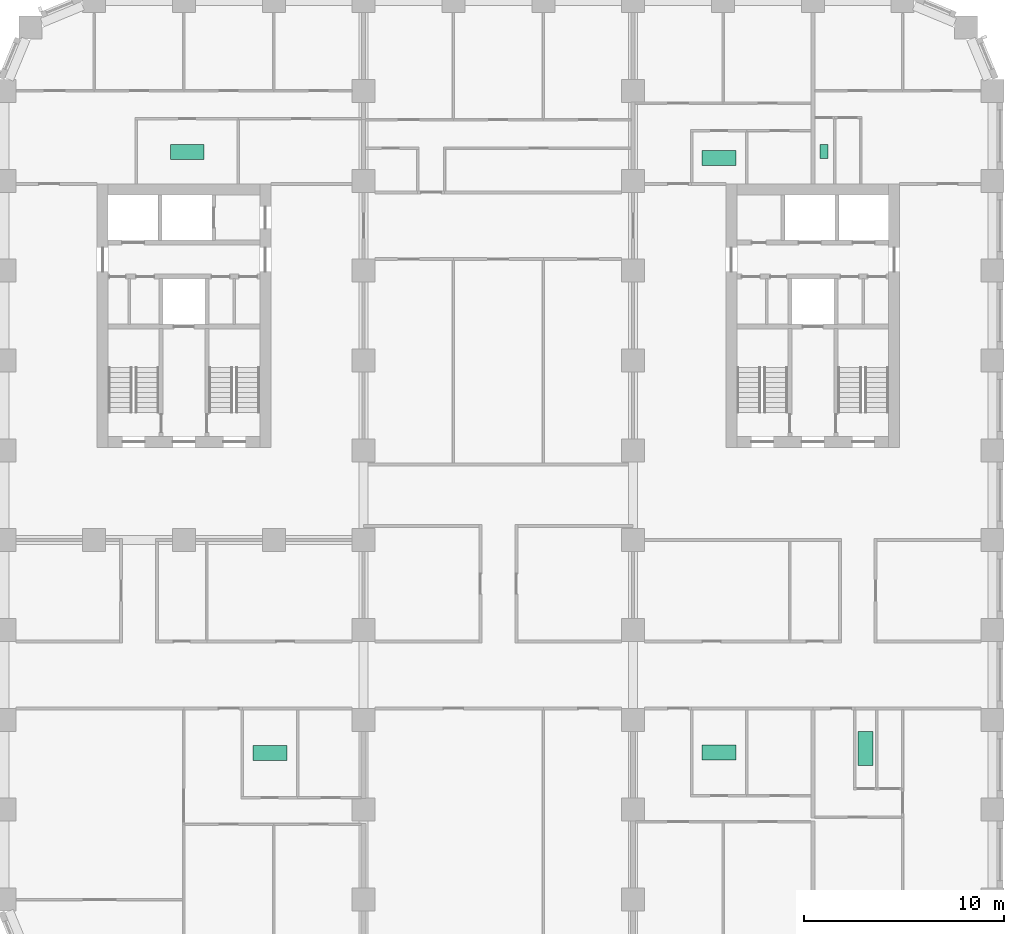
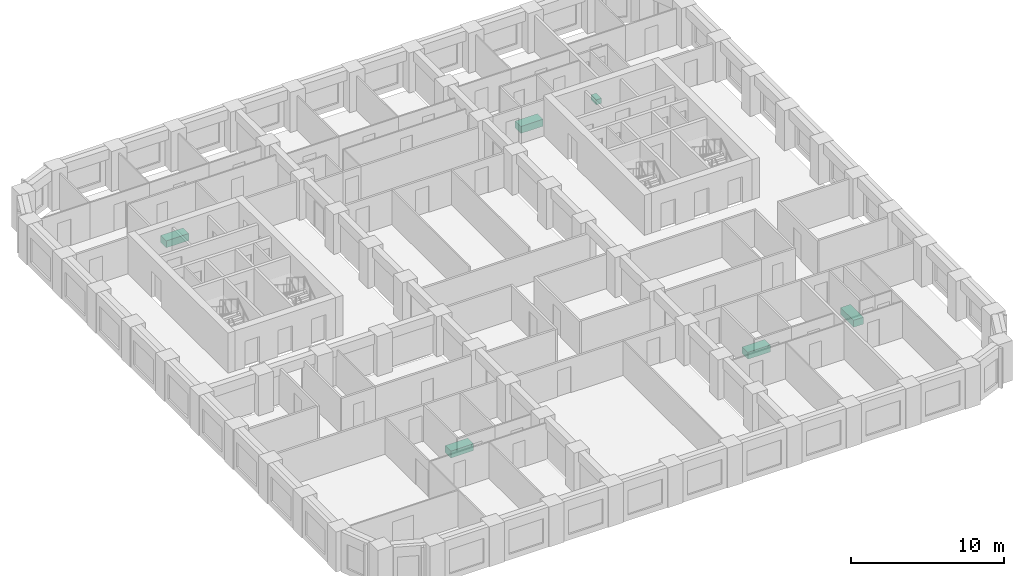
# One storey, part 13 of 13: 6 sanitary terminals.
"""IFC4 building model written with IfcOpenShell, lengths in metres."""

from ifc_helpers import new_model, si_unit, direction, frame, origin, origin_2d, place, context, subcontext, project, spatial, rectangle, extrude, material, type_object, element, save


model = new_model("IFC4")

# Units and contexts
model_context = context("Model", 3, precision=1e-05, world=origin(), true_north=direction((0.0, 1.0)))
body_context = subcontext(model_context, "Body", "Model", "MODEL_VIEW")
ifc_project = project(units=[si_unit("LENGTHUNIT", "METRE"), si_unit("AREAUNIT", "SQUARE_METRE"), si_unit("VOLUMEUNIT", "CUBIC_METRE"), si_unit("PLANEANGLEUNIT", "RADIAN"), si_unit("MASSUNIT", "GRAM", prefix="KILO")], contexts=[model_context])

# Site, building, storey
site_placement = place(None, origin())
site = spatial("IfcSite", under=ifc_project, at=site_placement, CompositionType="ELEMENT")
building_placement = place(site_placement, origin())
building = spatial("IfcBuilding", under=site, at=building_placement, Name="Girih Gate Residences", CompositionType="ELEMENT")
storey_placement = place(building_placement, frame((0.0, 0.0, 92.800048828125)))
storey = spatial("IfcBuildingStorey", under=building, at=storey_placement, Name="L25", CompositionType="ELEMENT", Elevation=92.800048828125)

# Sanitary terminals
ifc_material_1 = material(Name="Acrylic")
sanitary_terminal_type_1 = type_object("IfcSanitaryTerminalType", Name="Bath 1700", PredefinedType="BATH", material=ifc_material_1)
for number, where, z_axis, x_axis, name in (
    (1, (13.30810546875, 11.833984375, 0.0), (0.0, 0.0, 1.0), (1.0, 0.0, 0.0), "Bath 1700 L25"),
    (2, (9.1640625, 41.9541015625, 0.0), (0.0, 0.0, 1.0), (1.0, 0.0, 0.0), "Bath 1700 L25"),
):
    element("IfcSanitaryTerminal", number, at=place(storey_placement, frame(where, z_axis=z_axis, x_axis=x_axis)), inside=storey, type_object=sanitary_terminal_type_1, Name=name, PredefinedType="BATH", context=body_context, shape_type="SweptSolid", body=[
        extrude(rectangle(XDim=1.699951171875, YDim=0.75, at=origin_2d()), origin(), (0.0, 0.0, 1.0), 0.550048828125),
    ])
sanitary_terminal_1_placement = place(storey_placement, frame((43.14501953125, 12.053955078125, 0.0), z_axis=(0.0, 0.0, 1.0), x_axis=(1.0, 0.0, 0.0)))
element("IfcSanitaryTerminal", 3, at=sanitary_terminal_1_placement, inside=storey, type_object=sanitary_terminal_type_1, Name="Bath 1700 L25", PredefinedType="BATH", context=body_context, shape_type="SweptSolid", body=[
    extrude(rectangle(XDim=0.75, YDim=1.699951171875, at=origin_2d()), origin(), (0.0, 0.0, 1.0), 0.550048828125),
])
for number, where, z_axis, x_axis, name in (
    (4, (35.801025390625, 11.8740234375, 0.0), (0.0, 0.0, 1.0), (1.0, 0.0, 0.0), "Bath 1700 L25"),
    (5, (35.80810546875, 41.65087890625, 0.0), (0.0, 0.0, 1.0), (1.0, 0.0, 0.0), "Bath 1700 L25"),
):
    element("IfcSanitaryTerminal", number, at=place(storey_placement, frame(where, z_axis=z_axis, x_axis=x_axis)), inside=storey, type_object=sanitary_terminal_type_1, Name=name, PredefinedType="BATH", context=body_context, shape_type="SweptSolid", body=[
        extrude(rectangle(XDim=1.699951171875, YDim=0.75, at=origin_2d()), origin(), (0.0, 0.0, 1.0), 0.550048828125),
    ])
ifc_material_2 = material(Name="Vitreous china")
sanitary_terminal_type_2 = type_object("IfcSanitaryTerminalType", Name="WC pan", PredefinedType="TOILETPAN", material=ifc_material_2)
sanitary_terminal_2_placement = place(storey_placement, frame((41.06396484375, 41.97412109375, 0.0), z_axis=(0.0, 0.0, 1.0), x_axis=(1.0, 0.0, 0.0)))
element("IfcSanitaryTerminal", 6, at=sanitary_terminal_2_placement, inside=storey, type_object=sanitary_terminal_type_2, Name="WC pan L25", PredefinedType="TOILETPAN", context=body_context, shape_type="SweptSolid", body=[
    extrude(rectangle(XDim=0.39990234375, YDim=0.699951171875, at=origin_2d()), origin(), (0.0, 0.0, 1.0), 0.39990234375),
])

save(model, "model.ifc")
